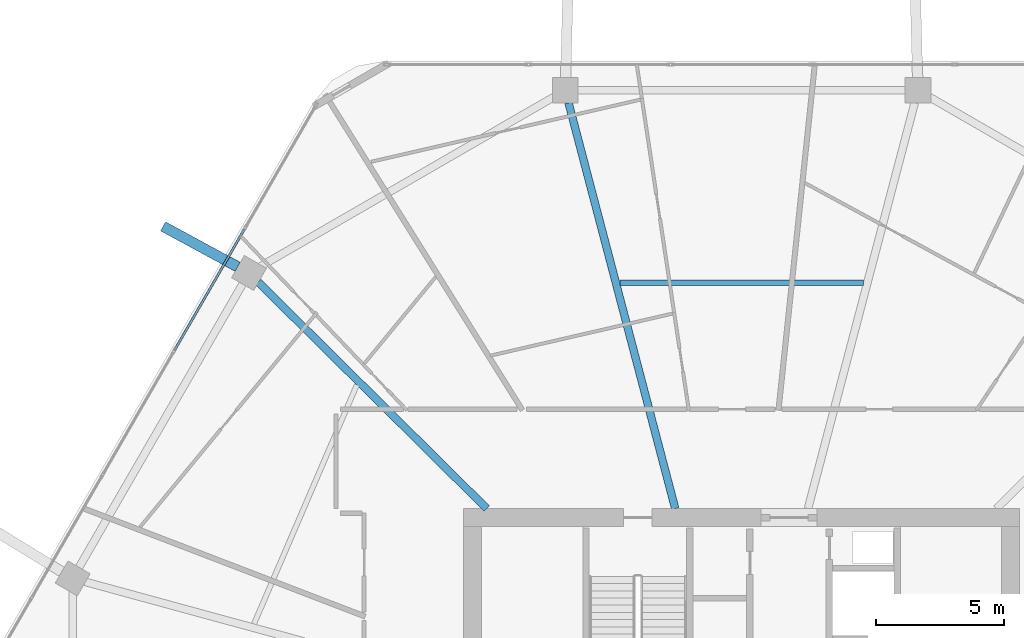
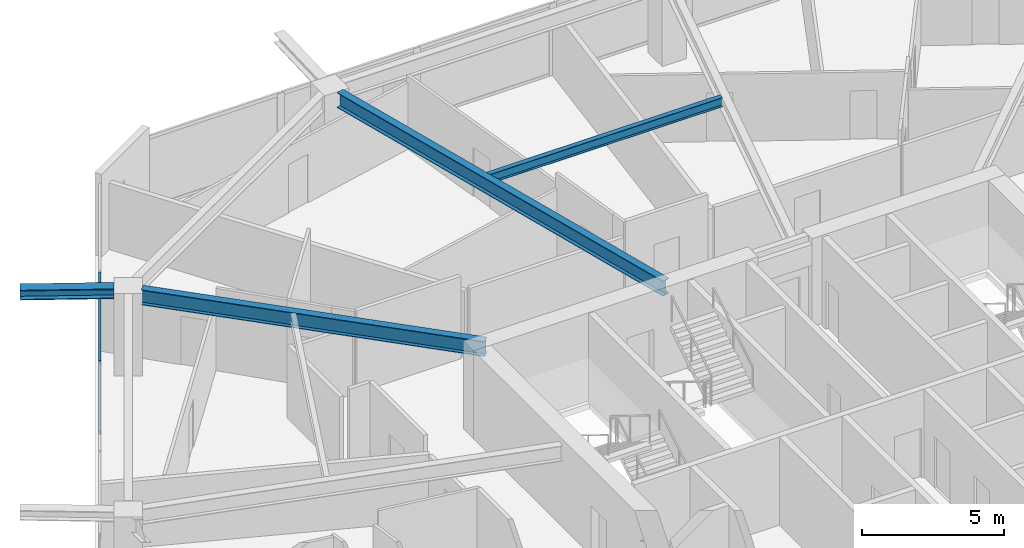
# One storey, part 11 of 25: 4 beams, 2 members, 1 element without a shape of its own.
"""IFC4 building model written with IfcOpenShell, lengths in metres."""

import ifcopenshell
import ifcopenshell.guid

model = None  # the IFC model being written
_history = None  # IfcOwnerHistory: only IFC2X3 demands one
_inside = {}  # id of a spatial element -> (the spatial element, [elements in it])
_under = {}  # id of a project, library or spatial element -> (it, [spatial elements below it])
_declared = {}  # id of a project -> (the project, [libraries it declares])
_typed = {}  # id of a type object -> (the type object, [elements of that type])
_made_of = {}  # id of a material, layer set ... -> (it, [elements and type objects made of it])


def new_model(schema):
    """Start an empty IFC model of exactly this schema.

    Asked for "IFC4X3", IfcOpenShell would pick the latest addendum, in which some entities
    have other attributes; the version numbers below select the first issue.
    IFC2X3 requires an IfcOwnerHistory on every rooted entity: one is made here for all.
    """
    global model, _history
    if schema == "IFC4X3":
        model = ifcopenshell.file(schema_version=(4, 3, 0, 0))
    else:
        model = ifcopenshell.file(schema=schema)
    _inside.clear()
    _under.clear()
    _declared.clear()
    _typed.clear()
    _made_of.clear()
    _history = None
    if model.schema == "IFC2X3":
        org = make("IfcOrganization", Name="unknown")
        user = make(
            "IfcPersonAndOrganization",
            ThePerson=make("IfcPerson", FamilyName="unknown"),
            TheOrganization=org,
        )
        app = make(
            "IfcApplication",
            ApplicationDeveloper=org,
            Version="unknown",
            ApplicationFullName="unknown",
            ApplicationIdentifier="unknown",
        )
        _history = make(
            "IfcOwnerHistory",
            OwningUser=user,
            OwningApplication=app,
            ChangeAction="ADDED",
            CreationDate=0,
        )
    return model


def make(cls, **values):
    """One entity of the class cls with the attributes given. An attribute that is None is left unset."""
    return model.create_entity(
        cls, **{name: value for name, value in values.items() if value is not None}
    )


def rooted(cls, **values):
    """An entity with a GlobalId (a new one), such as an element, a storey or a relation."""
    return make(cls, GlobalId=ifcopenshell.guid.new(), OwnerHistory=_history, **values)


def si_unit(unit_type, name, prefix=None):
    """IfcSIUnit, for example si_unit("LENGTHUNIT", "METRE", prefix="MILLI")."""
    return make("IfcSIUnit", UnitType=unit_type, Prefix=prefix, Name=name)


def assignment(units):
    """IfcUnitAssignment: the units of a project."""
    return None if units is None else make("IfcUnitAssignment", Units=units)


def point(xyz):
    """IfcCartesianPoint."""
    return None if xyz is None else make("IfcCartesianPoint", Coordinates=xyz)


def direction(xyz):
    """IfcDirection."""
    return None if xyz is None else make("IfcDirection", DirectionRatios=xyz)


def frame(location, z_axis=None, x_axis=None):
    """IfcAxis2Placement3D, a coordinate frame: its origin and axes. An axis left out is left unset."""
    return make(
        "IfcAxis2Placement3D",
        Location=point(location),
        Axis=direction(z_axis),
        RefDirection=direction(x_axis),
    )


def frame_2d(location, x_axis=None):
    """IfcAxis2Placement2D, a coordinate frame in the plane: its origin and x axis."""
    return make(
        "IfcAxis2Placement2D", Location=point(location), RefDirection=direction(x_axis)
    )


def origin():
    """The frame at (0, 0, 0) with its axes left unset."""
    return frame((0.0, 0.0, 0.0))


def origin_2d():
    """The frame at (0, 0) in the plane with its x axis left unset."""
    return frame_2d((0.0, 0.0))


def place(relative_to, where):
    """IfcLocalPlacement: puts the frame where relative to a parent placement (None: the world)."""
    return make(
        "IfcLocalPlacement", PlacementRelTo=relative_to, RelativePlacement=where
    )


def context(
    kind, dimensions, precision=None, world=None, true_north=None, identifier=None
):
    """IfcGeometricRepresentationContext, for example the 3D "Model" context."""
    return make(
        "IfcGeometricRepresentationContext",
        ContextIdentifier=identifier,
        ContextType=kind,
        CoordinateSpaceDimension=dimensions,
        Precision=precision,
        WorldCoordinateSystem=world,
        TrueNorth=true_north,
    )


def subcontext(parent, identifier, kind, view, scale=None):
    """IfcGeometricRepresentationSubContext, for example "Body" below "Model"."""
    return make(
        "IfcGeometricRepresentationSubContext",
        ContextIdentifier=identifier,
        ContextType=kind,
        ParentContext=parent,
        TargetScale=scale,
        TargetView=view,
    )


def project(units=None, contexts=None):
    """IfcProject with its units and contexts."""
    return rooted(
        "IfcProject",
        Name="project",
        RepresentationContexts=contexts,
        UnitsInContext=assignment(units),
    )


def spatial(cls, under=None, at=None, **own):
    """A site, building, storey or space (cls), placed at a placement, below another one or the project."""
    s = rooted(cls, ObjectPlacement=at, **own)
    if under is not None:
        _under.setdefault(under.id(), (under, []))[1].append(s)
    return s


def profile(cls, at=None, kind="AREA", **sizes):
    """A parametric profile (cls). Its sizes go by their IFC names, for example OverallWidth=200.0."""
    return make(cls, ProfileType=kind, Position=at, **sizes)


def hollow_rectangle(**sizes):
    """IfcRectangleHollowProfileDef."""
    return profile("IfcRectangleHollowProfileDef", **sizes)


def i_section(**sizes):
    """IfcIShapeProfileDef."""
    return profile("IfcIShapeProfileDef", **sizes)


def extrude(swept, where, along, depth):
    """IfcExtrudedAreaSolid: the profile swept, set in the frame where, extruded along a direction by depth."""
    return make(
        "IfcExtrudedAreaSolid",
        SweptArea=swept,
        Position=where,
        ExtrudedDirection=direction(along),
        Depth=depth,
    )


def shape(context_of_items, identifier, shape_type, items):
    """IfcShapeRepresentation: the items that make up one representation, for example the "Body"."""
    return make(
        "IfcShapeRepresentation",
        ContextOfItems=context_of_items,
        RepresentationIdentifier=identifier,
        RepresentationType=shape_type,
        Items=items,
    )


def material(Name=None, Category=None):
    """IfcMaterial."""
    return make("IfcMaterial", Name=Name, Category=Category)


def material_profile(
    of_material, cross_section, Name=None, Category=None, Priority=None
):
    """IfcMaterialProfile: a cross section and its material."""
    return make(
        "IfcMaterialProfile",
        Name=Name,
        Material=of_material,
        Profile=cross_section,
        Priority=Priority,
        Category=Category,
    )


def profile_set(profiles, Name=None, composite=None):
    """IfcMaterialProfileSet."""
    return make(
        "IfcMaterialProfileSet",
        Name=Name,
        MaterialProfiles=profiles,
        CompositeProfile=composite,
    )


def made_of(thing, what):
    """Note that an element or type object is made of a material, layer set ...; save() writes the relation."""
    if what is not None:
        _made_of.setdefault(what.id(), (what, []))[1].append(thing)
    return thing


def type_object(cls, material=None, **own):
    """A type object (cls), such as IfcWallType, which elements share."""
    return made_of(rooted(cls, **own), material)


def element(
    cls,
    number,
    at=None,
    inside=None,
    cuts=None,
    type_object=None,
    material=None,
    context=None,
    identifier="Body",
    shape_type=None,
    held_by="IfcProductDefinitionShape",
    body=None,
    shapes=None,
    **own,
):
    """One element of the class cls, such as IfcWall. Its Tag is "e" and its number.

    at: its placement. inside: the storey or other place that contains it. cuts: it is an
    opening in that element (IfcRelVoidsElement). A single representation is given by context,
    identifier, shape_type and body (its items); several are given by shapes. held_by: the class
    of the entity that holds the representations. save() writes the other relations.
    """
    e = rooted(cls, Tag="e%d" % number, ObjectPlacement=at, **own)
    if body is not None:
        shapes = [shape(context, identifier, shape_type, body)]
    if shapes is not None:
        e.Representation = make(held_by, Representations=shapes)
    if inside is not None:
        _inside.setdefault(inside.id(), (inside, []))[1].append(e)
    if cuts is not None:
        rooted(
            "IfcRelVoidsElement", RelatingBuildingElement=cuts, RelatedOpeningElement=e
        )
    if type_object is not None:
        _typed.setdefault(type_object.id(), (type_object, []))[1].append(e)
    return made_of(e, material)


def aggregate(whole, parts):
    """IfcRelAggregates: a whole, such as a stair, and the parts it consists of."""
    return rooted("IfcRelAggregates", RelatingObject=whole, RelatedObjects=parts)


def save(model, path):
    """Write the relations noted so far, then the file.

    IfcRelAggregates (storeys below a building ...), IfcRelContainedInSpatialStructure (elements
    in a storey), IfcRelDefinesByType, IfcRelAssociatesMaterial and IfcRelDeclares: one each for
    every whole, place, type object, material and project.
    """
    for whole, parts in _under.values():
        aggregate(whole, parts)
    for where, things in _inside.values():
        rooted(
            "IfcRelContainedInSpatialStructure",
            RelatedElements=things,
            RelatingStructure=where,
        )
    for kind, things in _typed.values():
        rooted("IfcRelDefinesByType", RelatedObjects=things, RelatingType=kind)
    for what, things in _made_of.values():
        rooted("IfcRelAssociatesMaterial", RelatedObjects=things, RelatingMaterial=what)
    for by, libraries in _declared.values():
        rooted("IfcRelDeclares", RelatingContext=by, RelatedDefinitions=libraries)
    model.write(path)


model = new_model("IFC4")

# Units and contexts
model_context = context("Model", 3, precision=1e-05, world=origin(), true_north=direction((0.0, 1.0)))
body_context = subcontext(model_context, "Body", "Model", "MODEL_VIEW")
ifc_project = project(units=[si_unit("LENGTHUNIT", "METRE"), si_unit("AREAUNIT", "SQUARE_METRE"), si_unit("VOLUMEUNIT", "CUBIC_METRE"), si_unit("PLANEANGLEUNIT", "RADIAN"), si_unit("MASSUNIT", "GRAM", prefix="KILO")], contexts=[model_context])

# Site, building, storey
site_placement = place(None, origin())
site = spatial("IfcSite", under=ifc_project, at=site_placement, CompositionType="ELEMENT")
building_placement = place(site_placement, origin())
building = spatial("IfcBuilding", under=site, at=building_placement, Name="Zuhravey Tower", CompositionType="ELEMENT")
storey_placement = place(building_placement, frame((0.0, 0.0, 180.800048828125)))
storey = spatial("IfcBuildingStorey", under=building, at=storey_placement, Name="L45", CompositionType="ELEMENT", Elevation=180.800048828125)

# Curtain wall, members
ifc_material_1 = material(Name="Thermally broken anodised aluminium", Category="aluminium")
curtain_wall_type = type_object("IfcCurtainWallType", Name="Zone 1-2 Residential Curtain Wall CW3", PredefinedType="NOTDEFINED", material=ifc_material_1)
curtain_wall_placement = place(storey_placement, origin())
curtain_wall = element("IfcCurtainWall", 1, at=curtain_wall_placement, inside=storey, type_object=curtain_wall_type, Name="L45 CW3 CW-L45-F3-1", PredefinedType="NOTDEFINED")
ifc_material_2 = material(Name="Anodised aluminium", Category="aluminium")
ifc_material_profile_1 = material_profile(ifc_material_2, hollow_rectangle(XDim=0.090087890625, YDim=0.14990234375, WallThickness=0.0048828125, at=origin_2d()), Name="ALU-RHS-90x150x5")
ifc_profile_set_1 = profile_set([ifc_material_profile_1], Name="Anodised aluminium")
member_type = type_object("IfcMemberType", Name="Curtain-Wall Transom 90x150", PredefinedType="USERDEFINED", material=ifc_profile_set_1)
member_1_placement = place(storey_placement, frame((13.867431640625, 48.03125, 0.044921875), z_axis=(0.49996138257, 0.86604769842, 0.0), x_axis=(-0.86604769842, 0.49996138257, 0.0)))
member_1 = element("IfcMember", 2, at=member_1_placement, type_object=member_type, Name="CW3 transom 4.1", ObjectType="TRANSOM", PredefinedType="USERDEFINED", context=body_context, shape_type="SweptSolid", body=[
    extrude(hollow_rectangle(XDim=0.090087890625, YDim=0.14990234375, WallThickness=0.0048828125, at=origin_2d()), origin(), (0.0, 0.0, 1.0), 5.45458984375),
])
member_2_placement = place(storey_placement, frame((13.867431640625, 48.03125, 3.076904296875), z_axis=(0.49996138257, 0.86604769842, 0.0), x_axis=(-0.86604769842, 0.49996138257, 0.0)))
member_2 = element("IfcMember", 3, at=member_2_placement, type_object=member_type, Name="CW3 transom 4.2", ObjectType="TRANSOM", PredefinedType="USERDEFINED", context=body_context, shape_type="SweptSolid", body=[
    extrude(hollow_rectangle(XDim=0.090087890625, YDim=0.14990234375, WallThickness=0.0048828125, at=origin_2d()), origin(), (0.0, 0.0, 1.0), 5.45458984375),
])
aggregate(curtain_wall, [member_1, member_2])

# Beams
ifc_material_3 = material(Name="Steel SM460", Category="steel")
ifc_material_profile_2 = material_profile(ifc_material_3, i_section(OverallWidth=0.406982421875, OverallDepth=0.427978515625, WebThickness=0.02001953125, FlangeThickness=0.034912109375, at=origin_2d()), Name="H-428x407x20x35")
ifc_profile_set_2 = profile_set([ifc_material_profile_2], Name="Steel SM460")
beam_type_1 = type_object("IfcBeamType", Name="Exoskeleton Node Tie Beam H428x407", PredefinedType="BEAM", material=ifc_profile_set_2)
beam_1_placement = place(storey_placement, frame((16.331298828125, 51.287109375, 3.3359375), z_axis=(-0.878916119268, 0.476976367644, 0.0), x_axis=(-0.476976367644, -0.878916119268, 0.0)))
element("IfcBeam", 4, at=beam_1_placement, inside=storey, type_object=beam_type_1, Name="L45 Exoskeleton Node Tie NT1-05", PredefinedType="BEAM", context=body_context, shape_type="SweptSolid", body=[
    extrude(i_section(OverallWidth=0.406982421875, OverallDepth=0.427978515625, WebThickness=0.02001953125, FlangeThickness=0.034912109375, at=origin_2d()), origin(), (0.0, 0.0, 1.0), 3.312255859375),
])
ifc_material_4 = material(Name="Steel SM355", Category="steel")
ifc_material_profile_3 = material_profile(ifc_material_4, i_section(OverallWidth=0.300048828125, OverallDepth=0.64990234375, WebThickness=0.012939453125, FlangeThickness=0.02197265625, at=origin_2d()), Name="H-650x300x13x22")
ifc_profile_set_3 = profile_set([ifc_material_profile_3], Name="Steel SM355")
beam_type_2 = type_object("IfcBeamType", Name="Radial Primary Girder H650x300", PredefinedType="BEAM", material=ifc_profile_set_3)
beam_2_placement = place(storey_placement, frame((33.4091796875, 41.85302734375, 3.224853515625), z_axis=(-0.254300244998, 0.967125320418, 0.0), x_axis=(-0.967125320418, -0.254300244998, 0.0)))
element("IfcBeam", 5, at=beam_2_placement, inside=storey, type_object=beam_type_2, Name="L45 RG2 BM-L45-RAD-04", PredefinedType="BEAM", context=body_context, shape_type="SweptSolid", body=[
    extrude(i_section(OverallWidth=0.300048828125, OverallDepth=0.64990234375, WebThickness=0.012939453125, FlangeThickness=0.02197265625, at=origin_2d()), origin(), (0.0, 0.0, 1.0), 16.371826171875),
])
beam_3_placement = place(storey_placement, frame((26.054443359375, 41.85302734375, 3.224853515625), z_axis=(-0.71040353357, 0.703794586148, 0.0), x_axis=(-0.703794586148, -0.71040353357, 0.0)))
element("IfcBeam", 6, at=beam_3_placement, inside=storey, type_object=beam_type_2, Name="L45 RG2 BM-L45-RAD-05", PredefinedType="BEAM", context=body_context, shape_type="SweptSolid", body=[
    extrude(i_section(OverallWidth=0.300048828125, OverallDepth=0.64990234375, WebThickness=0.012939453125, FlangeThickness=0.02197265625, at=origin_2d()), origin(), (0.0, 0.0, 1.0), 12.559814453125),
])
ifc_material_profile_4 = material_profile(ifc_material_4, i_section(OverallWidth=0.199951171875, OverallDepth=0.39990234375, WebThickness=0.008056640625, FlangeThickness=0.012939453125, at=origin_2d()), Name="H-400x200x8x13")
ifc_profile_set_4 = profile_set([ifc_material_profile_4], Name="Steel SM355")
beam_type_3 = type_object("IfcBeamType", Name="Secondary Floor Joist H400x200", PredefinedType="JOIST", material=ifc_profile_set_4)
beam_4_placement = place(storey_placement, frame((40.754150390625, 50.665771484375, 3.349853515625), z_axis=(-1.0, 0.0, 0.0), x_axis=(0.0, -1.0, 0.0)))
element("IfcBeam", 7, at=beam_4_placement, inside=storey, type_object=beam_type_3, Name="L45 SJ2 BM-L45-SJ-03-1", PredefinedType="JOIST", context=body_context, shape_type="SweptSolid", body=[
    extrude(i_section(OverallWidth=0.199951171875, OverallDepth=0.39990234375, WebThickness=0.008056640625, FlangeThickness=0.012939453125, at=origin_2d()), origin(), (0.0, 0.0, 1.0), 9.50830078125),
])

save(model, "model.ifc")
